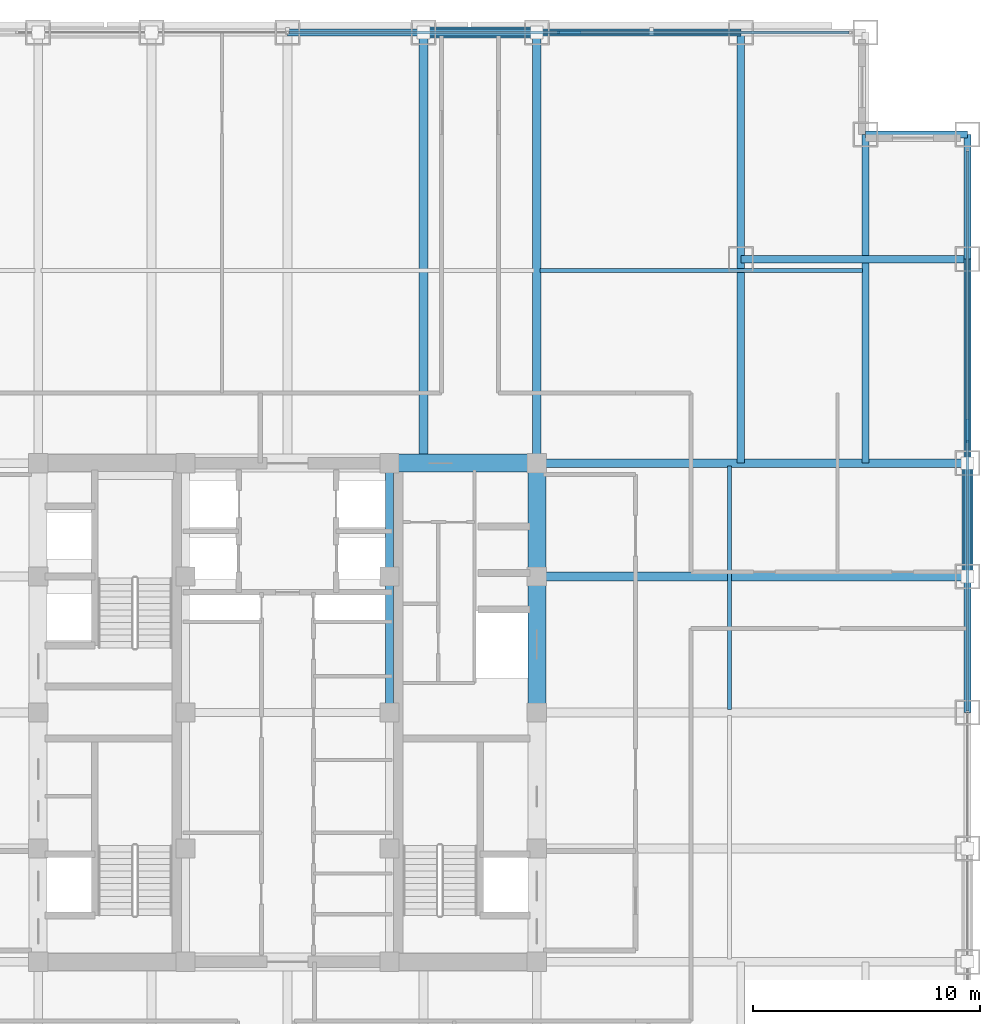
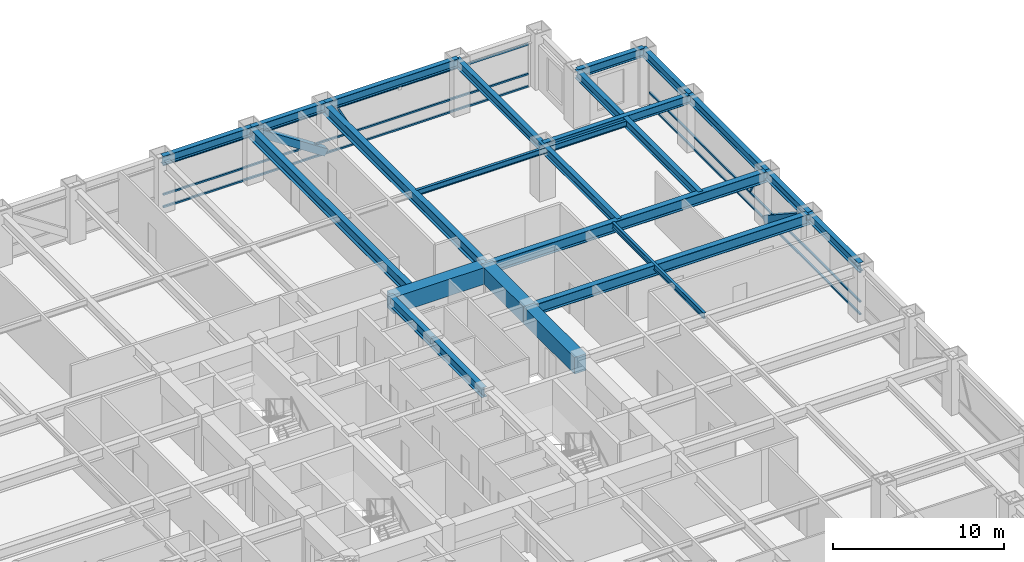
# One storey, part 17 of 28: 22 beams, 10 members, 2 elements without a shape of their own.
"""IFC4 building model written with IfcOpenShell, lengths in metres."""

from ifc_helpers import new_model, si_unit, direction, frame, origin, origin_2d, place, context, subcontext, project, spatial, rectangle, hollow_rectangle, i_section, extrude, source, transform, mapped, material, material_profile, profile_set, type_object, element, aggregate, save


model = new_model("IFC4")

# Units and contexts
model_context = context("Model", 3, precision=1e-05, world=origin(), true_north=direction((0.0, 1.0)))
body_context = subcontext(model_context, "Body", "Model", "MODEL_VIEW")
ifc_project = project(units=[si_unit("LENGTHUNIT", "METRE"), si_unit("AREAUNIT", "SQUARE_METRE"), si_unit("VOLUMEUNIT", "CUBIC_METRE"), si_unit("PLANEANGLEUNIT", "RADIAN"), si_unit("MASSUNIT", "GRAM", prefix="KILO")], contexts=[model_context])

# Site, building, storey
site_placement = place(None, origin())
site = spatial("IfcSite", under=ifc_project, at=site_placement, CompositionType="ELEMENT")
building_placement = place(site_placement, origin())
building = spatial("IfcBuilding", under=site, at=building_placement, Name="Khorayat Bourse Tower", CompositionType="ELEMENT")
storey_placement = place(building_placement, frame((0.0, 0.0, 183.10009765625)))
storey = spatial("IfcBuildingStorey", under=building, at=storey_placement, Name="L42", CompositionType="ELEMENT", Elevation=183.10009765625)

# Beams
ifc_material_1 = material(Name="Concrete C72/90", Category="concrete")
ifc_material_profile_1 = material_profile(ifc_material_1, rectangle(XDim=0.800048828125, YDim=1.199951171875, at=origin_2d()), Name="RC 800x1200")
ifc_profile_set_1 = profile_set([ifc_material_profile_1], Name="Concrete C72/90")
beam_type_1 = type_object("IfcBeamType", Name="BM-COUP-1200", PredefinedType="BEAM", material=ifc_profile_set_1)
shared_shape_1 = source(origin(), body_context, "Body", "SweptSolid", [
    extrude(rectangle(XDim=0.800048828125, YDim=1.199951171875, at=origin_2d()), origin(), (0.0, 0.0, 1.0), 5.0),
])
beam_1_placement = place(storey_placement, frame((11.0, 6.0, 3.179931640625), z_axis=(0.0, 1.0, 0.0), x_axis=(-1.0, 0.0, 0.0)))
element("IfcBeam", 1, at=beam_1_placement, inside=storey, type_object=beam_type_1, Name="L42 BM-COUP-1200 BM-L42-CRX-16", PredefinedType="BEAM", context=body_context, shape_type="MappedRepresentation", body=[
    mapped(shared_shape_1, transform((0.0, 0.0, 0.0), scale=1.0)),
])
shared_shape_2 = source(origin(), body_context, "Body", "SweptSolid", [
    extrude(rectangle(XDim=0.800048828125, YDim=1.199951171875, at=origin_2d()), origin(), (0.0, 0.0, 1.0), 6.0),
])
beam_2_placement = place(storey_placement, frame((11.0, 0.0, 3.179931640625), z_axis=(0.0, 1.0, 0.0), x_axis=(-1.0, 0.0, 0.0)))
element("IfcBeam", 2, at=beam_2_placement, inside=storey, type_object=beam_type_1, Name="L42 BM-COUP-1200 BM-L42-CRX-15", PredefinedType="BEAM", context=body_context, shape_type="MappedRepresentation", body=[
    mapped(shared_shape_2, transform((0.0, 0.0, 0.0), scale=1.0)),
])
ifc_material_2 = material(Name="Steel ASTM A992 Grade 50", Category="steel")
ifc_material_profile_2 = material_profile(ifc_material_2, i_section(OverallWidth=0.35498046875, OverallDepth=0.695068359375, WebThickness=0.015380859375, FlangeThickness=0.02490234375, FilletRadius=0.01806640625, at=origin_2d()), Name="W690X217")
ifc_profile_set_2 = profile_set([ifc_material_profile_2], Name="Steel ASTM A992 Grade 50")
beam_type_2 = type_object("IfcBeamType", Name="BM-GIRD-690", PredefinedType="BEAM", material=ifc_profile_set_2)
shared_shape_3 = source(origin(), body_context, "Body", "SweptSolid", [
    extrude(i_section(OverallWidth=0.35498046875, OverallDepth=0.695068359375, WebThickness=0.015380859375, FlangeThickness=0.02490234375, FilletRadius=0.01806640625, at=origin_2d()), origin(), (0.0, 0.0, 1.0), 5.0),
])
beam_3_placement = place(storey_placement, frame((4.5, 6.0, 3.432373046875), z_axis=(0.0, 1.0, 0.0), x_axis=(-1.0, 0.0, 0.0)))
element("IfcBeam", 3, at=beam_3_placement, inside=storey, type_object=beam_type_2, Name="L42 BM-GIRD-690 BM-L42-CRX-12", PredefinedType="BEAM", context=body_context, shape_type="MappedRepresentation", body=[
    mapped(shared_shape_3, transform((0.0, 0.0, 0.0), scale=1.0)),
])
shared_shape_4 = source(origin(), body_context, "Body", "SweptSolid", [
    extrude(i_section(OverallWidth=0.35498046875, OverallDepth=0.695068359375, WebThickness=0.015380859375, FlangeThickness=0.02490234375, FilletRadius=0.01806640625, at=origin_2d()), origin(), (0.0, 0.0, 1.0), 6.0),
])
beam_4_placement = place(storey_placement, frame((4.5, 0.0, 3.432373046875), z_axis=(0.0, 1.0, 0.0), x_axis=(-1.0, 0.0, 0.0)))
element("IfcBeam", 4, at=beam_4_placement, inside=storey, type_object=beam_type_2, Name="L42 BM-GIRD-690 BM-L42-CRX-11", PredefinedType="BEAM", context=body_context, shape_type="MappedRepresentation", body=[
    mapped(shared_shape_4, transform((0.0, 0.0, 0.0), scale=1.0)),
])
shared_shape_5 = source(origin(), body_context, "Body", "SweptSolid", [
    extrude(rectangle(XDim=0.800048828125, YDim=1.199951171875, at=origin_2d()), origin(), (0.0, 0.0, 1.0), 6.5),
])
beam_5_placement = place(storey_placement, frame((4.5, 11.0, 3.179931640625), z_axis=(1.0, 0.0, 0.0), x_axis=(0.0, 1.0, 0.0)))
element("IfcBeam", 5, at=beam_5_placement, inside=storey, type_object=beam_type_1, Name="L42 BM-COUP-1200 BM-L42-CRY-22", PredefinedType="BEAM", context=body_context, shape_type="MappedRepresentation", body=[
    mapped(shared_shape_5, transform((0.0, 0.0, 0.0), scale=1.0)),
])
ifc_material_profile_3 = material_profile(ifc_material_2, i_section(OverallWidth=0.381103515625, OverallDepth=0.77294921875, WebThickness=0.0166015625, FlangeThickness=0.027587890625, FilletRadius=0.01806640625, at=origin_2d()), Name="W760X257")
ifc_profile_set_3 = profile_set([ifc_material_profile_3], Name="Steel ASTM A992 Grade 50")
beam_type_3 = type_object("IfcBeamType", Name="BM-GIRD-760", PredefinedType="BEAM", material=ifc_profile_set_3)
shared_shape_6 = source(origin(), body_context, "Body", "SweptSolid", [
    extrude(i_section(OverallWidth=0.381103515625, OverallDepth=0.77294921875, WebThickness=0.0166015625, FlangeThickness=0.027587890625, FilletRadius=0.01806640625, at=origin_2d()), origin(), (0.0, 0.0, 1.0), 19.0),
])
for number, where, z_axis, x_axis, name in (
    (6, (6.0, 11.0, 3.393310546875), (0.0, 1.0, 0.0), (-1.0, 0.0, 0.0), "L42 BM-GIRD-760 BM-L42-RADY-070"),
    (7, (11.0, 11.0, 3.393310546875), (0.0, 1.0, 0.0), (-1.0, 0.0, 0.0), "L42 BM-GIRD-760 BM-L42-RADY-072"),
    (8, (11.0, 6.0, 3.393310546875), (1.0, 0.0, 0.0), (0.0, 1.0, 0.0), "L42 BM-GIRD-760 BM-L42-RADX-080"),
    (9, (11.0, 11.0, 3.393310546875), (1.0, 0.0, 0.0), (0.0, 1.0, 0.0), "L42 BM-GIRD-760 BM-L42-RADX-082"),
):
    element("IfcBeam", number, at=place(storey_placement, frame(where, z_axis=z_axis, x_axis=x_axis)), inside=storey, type_object=beam_type_3, Name=name, PredefinedType="BEAM", context=body_context, shape_type="MappedRepresentation", body=[
        mapped(shared_shape_6, transform((0.0, 0.0, 0.0), scale=1.0)),
    ])
ifc_material_profile_4 = material_profile(ifc_material_2, i_section(OverallWidth=0.324951171875, OverallDepth=0.615966796875, WebThickness=0.013916015625, FlangeThickness=0.021484375, FilletRadius=0.01611328125, at=origin_2d()), Name="W610X174")
ifc_profile_set_4 = profile_set([ifc_material_profile_4], Name="Steel ASTM A992 Grade 50")
beam_type_4 = type_object("IfcBeamType", Name="BM-GIRD-610", PredefinedType="BEAM", material=ifc_profile_set_4)
shared_shape_7 = source(origin(), body_context, "Body", "SweptSolid", [
    extrude(i_section(OverallWidth=0.324951171875, OverallDepth=0.615966796875, WebThickness=0.013916015625, FlangeThickness=0.021484375, FilletRadius=0.01611328125, at=origin_2d()), origin(), (0.0, 0.0, 1.0), 19.0),
])
beam_6_placement = place(storey_placement, frame((20.0, 11.0, 3.471923828125), z_axis=(0.0, 1.0, 0.0), x_axis=(-1.0, 0.0, 0.0)))
element("IfcBeam", 10, at=beam_6_placement, inside=storey, type_object=beam_type_4, Name="L42 BM-GIRD-610 BM-L42-CNRY-087", PredefinedType="BEAM", context=body_context, shape_type="MappedRepresentation", body=[
    mapped(shared_shape_7, transform((0.0, 0.0, 0.0), scale=1.0)),
])
shared_shape_8 = source(origin(), body_context, "Body", "SweptSolid", [
    extrude(i_section(OverallWidth=0.324951171875, OverallDepth=0.615966796875, WebThickness=0.013916015625, FlangeThickness=0.021484375, FilletRadius=0.01611328125, at=origin_2d()), origin(), (0.0, 0.0, 1.0), 14.5),
])
beam_7_placement = place(storey_placement, frame((25.5, 11.0, 3.471923828125), z_axis=(0.0, 1.0, 0.0), x_axis=(-1.0, 0.0, 0.0)))
element("IfcBeam", 11, at=beam_7_placement, inside=storey, type_object=beam_type_4, Name="L42 BM-GIRD-610 BM-L42-CNRY-091", PredefinedType="BEAM", context=body_context, shape_type="MappedRepresentation", body=[
    mapped(shared_shape_8, transform((0.0, 0.0, 0.0), scale=1.0)),
])
shared_shape_9 = source(origin(), body_context, "Body", "SweptSolid", [
    extrude(i_section(OverallWidth=0.324951171875, OverallDepth=0.615966796875, WebThickness=0.013916015625, FlangeThickness=0.021484375, FilletRadius=0.01611328125, at=origin_2d()), origin(), (0.0, 0.0, 1.0), 10.0),
])
beam_8_placement = place(storey_placement, frame((20.0, 20.0, 3.471923828125), z_axis=(1.0, 0.0, 0.0), x_axis=(0.0, 1.0, 0.0)))
element("IfcBeam", 12, at=beam_8_placement, inside=storey, type_object=beam_type_4, Name="L42 BM-GIRD-610 BM-L42-CNRX-094", PredefinedType="BEAM", context=body_context, shape_type="MappedRepresentation", body=[
    mapped(shared_shape_9, transform((0.0, 0.0, 0.0), scale=1.0)),
])
ifc_material_profile_5 = material_profile(ifc_material_2, i_section(OverallWidth=0.180908203125, OverallDepth=0.4169921875, WebThickness=0.010986328125, FlangeThickness=0.018310546875, FilletRadius=0.011962890625, at=origin_2d()), Name="W410X85")
ifc_profile_set_5 = profile_set([ifc_material_profile_5], Name="Steel ASTM A992 Grade 50")
beam_type_5 = type_object("IfcBeamType", Name="BM-JOIST-410", PredefinedType="JOIST", material=ifc_profile_set_5)
shared_shape_10 = source(origin(), body_context, "Body", "SweptSolid", [
    extrude(i_section(OverallWidth=0.180908203125, OverallDepth=0.4169921875, WebThickness=0.010986328125, FlangeThickness=0.018310546875, FilletRadius=0.011962890625, at=origin_2d()), origin(), (0.0, 0.0, 1.0), 14.240234375),
])
beam_9_placement = place(storey_placement, frame((11.1298828125, 19.5, 3.5712890625), z_axis=(1.0, 0.0, 0.0), x_axis=(0.0, 1.0, 0.0)))
element("IfcBeam", 13, at=beam_9_placement, inside=storey, type_object=beam_type_5, Name="L42 BM-JOIST-410 BM-L42-JSTX-101", PredefinedType="JOIST", context=body_context, shape_type="MappedRepresentation", body=[
    mapped(shared_shape_10, transform((0.0, 0.0, 0.0), scale=1.0)),
])
shared_shape_11 = source(origin(), body_context, "Body", "SweptSolid", [
    extrude(i_section(OverallWidth=0.180908203125, OverallDepth=0.4169921875, WebThickness=0.010986328125, FlangeThickness=0.018310546875, FilletRadius=0.011962890625, at=origin_2d()), origin(), (0.0, 0.0, 1.0), 10.740234375),
])
beam_10_placement = place(storey_placement, frame((19.5, 0.1298828125, 3.5712890625), z_axis=(0.0, 1.0, 0.0), x_axis=(-1.0, 0.0, 0.0)))
element("IfcBeam", 14, at=beam_10_placement, inside=storey, type_object=beam_type_5, Name="L42 BM-JOIST-410 BM-L42-JSTY-105", PredefinedType="JOIST", context=body_context, shape_type="MappedRepresentation", body=[
    mapped(shared_shape_11, transform((0.0, 0.0, 0.0), scale=1.0)),
])
ifc_material_profile_6 = material_profile(ifc_material_2, i_section(OverallWidth=0.324951171875, OverallDepth=0.615966796875, WebThickness=0.013916015625, FlangeThickness=0.021484375, FilletRadius=0.01611328125, at=origin_2d()), Name="W610X174")
ifc_profile_set_6 = profile_set([ifc_material_profile_6], Name="Steel ASTM A992 Grade 50")
beam_type_6 = type_object("IfcBeamType", Name="BM-SPAN-610", PredefinedType="SPANDREL", material=ifc_profile_set_6)
shared_shape_12 = source(origin(), body_context, "Body", "SweptSolid", [
    extrude(i_section(OverallWidth=0.324951171875, OverallDepth=0.615966796875, WebThickness=0.013916015625, FlangeThickness=0.021484375, FilletRadius=0.01611328125, at=origin_2d()), origin(), (0.0, 0.0, 1.0), 5.5),
])
beam_11_placement = place(storey_placement, frame((30.0, 20.0, 3.471923828125), z_axis=(0.0, 1.0, 0.0), x_axis=(-1.0, 0.0, 0.0)))
element("IfcBeam", 15, at=beam_11_placement, inside=storey, type_object=beam_type_6, Name="L42 BM-SPAN-610 BM-L42-SPN-041", PredefinedType="SPANDREL", context=body_context, shape_type="MappedRepresentation", body=[
    mapped(shared_shape_12, transform((0.0, 0.0, 0.0), scale=1.0)),
])
shared_shape_13 = source(origin(), body_context, "Body", "SweptSolid", [
    extrude(i_section(OverallWidth=0.324951171875, OverallDepth=0.615966796875, WebThickness=0.013916015625, FlangeThickness=0.021484375, FilletRadius=0.01611328125, at=origin_2d()), origin(), (0.0, 0.0, 1.0), 9.0),
])
for number, where, z_axis, x_axis, name in (
    (16, (30.0, 11.0, 3.471923828125), (0.0, 1.0, 0.0), (-1.0, 0.0, 0.0), "L42 BM-SPAN-610 BM-L42-SPN-040"),
    (17, (11.0, 30.0, 3.471923828125), (1.0, 0.0, 0.0), (0.0, 1.0, 0.0), "L42 BM-SPAN-610 BM-L42-SPN-045"),
):
    element("IfcBeam", number, at=place(storey_placement, frame(where, z_axis=z_axis, x_axis=x_axis)), inside=storey, type_object=beam_type_6, Name=name, PredefinedType="SPANDREL", context=body_context, shape_type="MappedRepresentation", body=[
        mapped(shared_shape_13, transform((0.0, 0.0, 0.0), scale=1.0)),
    ])
shared_shape_14 = source(origin(), body_context, "Body", "SweptSolid", [
    extrude(i_section(OverallWidth=0.324951171875, OverallDepth=0.615966796875, WebThickness=0.013916015625, FlangeThickness=0.021484375, FilletRadius=0.01611328125, at=origin_2d()), origin(), (0.0, 0.0, 1.0), 5.0),
])
for number, where, z_axis, x_axis, name in (
    (18, (30.0, 6.0, 3.471923828125), (0.0, 1.0, 0.0), (-1.0, 0.0, 0.0), "L42 BM-SPAN-610 BM-L42-SPN-039"),
    (19, (6.0, 30.0, 3.471923828125), (1.0, 0.0, 0.0), (0.0, 1.0, 0.0), "L42 BM-SPAN-610 BM-L42-SPN-046"),
):
    element("IfcBeam", number, at=place(storey_placement, frame(where, z_axis=z_axis, x_axis=x_axis)), inside=storey, type_object=beam_type_6, Name=name, PredefinedType="SPANDREL", context=body_context, shape_type="MappedRepresentation", body=[
        mapped(shared_shape_14, transform((0.0, 0.0, 0.0), scale=1.0)),
    ])
shared_shape_15 = source(origin(), body_context, "Body", "SweptSolid", [
    extrude(i_section(OverallWidth=0.324951171875, OverallDepth=0.615966796875, WebThickness=0.013916015625, FlangeThickness=0.021484375, FilletRadius=0.01611328125, at=origin_2d()), origin(), (0.0, 0.0, 1.0), 6.0),
])
for number, where, z_axis, x_axis, name in (
    (20, (30.0, 0.0, 3.471923828125), (0.0, 1.0, 0.0), (-1.0, 0.0, 0.0), "L42 BM-SPAN-610 BM-L42-SPN-038"),
    (21, (0.0, 30.0, 3.471923828125), (1.0, 0.0, 0.0), (0.0, 1.0, 0.0), "L42 BM-SPAN-610 BM-L42-SPN-047"),
):
    element("IfcBeam", number, at=place(storey_placement, frame(where, z_axis=z_axis, x_axis=x_axis)), inside=storey, type_object=beam_type_6, Name=name, PredefinedType="SPANDREL", context=body_context, shape_type="MappedRepresentation", body=[
        mapped(shared_shape_15, transform((0.0, 0.0, 0.0), scale=1.0)),
    ])
shared_shape_16 = source(origin(), body_context, "Body", "SweptSolid", [
    extrude(i_section(OverallWidth=0.324951171875, OverallDepth=0.615966796875, WebThickness=0.013916015625, FlangeThickness=0.021484375, FilletRadius=0.01611328125, at=origin_2d()), origin(), (0.0, 0.0, 1.0), 4.5),
])
beam_12_placement = place(storey_placement, frame((25.5, 25.5, 3.471923828125), z_axis=(1.0, 0.0, 0.0), x_axis=(0.0, 1.0, 0.0)))
element("IfcBeam", 22, at=beam_12_placement, inside=storey, type_object=beam_type_6, Name="L42 BM-SPAN-610 BM-L42-SPN-042", PredefinedType="SPANDREL", context=body_context, shape_type="MappedRepresentation", body=[
    mapped(shared_shape_16, transform((0.0, 0.0, 0.0), scale=1.0)),
])

# Members
ifc_material_3 = material(Name="Steel EN 10025-4 S460M", Category="steel")
ifc_material_profile_7 = material_profile(ifc_material_3, hollow_rectangle(XDim=0.5, YDim=0.5, WallThickness=0.028076171875, at=origin_2d()), Name="HSS 500x500x28")
ifc_profile_set_7 = profile_set([ifc_material_profile_7], Name="Steel EN 10025-4 S460M")
member_type_1 = type_object("IfcMemberType", Name="MBR-TUBE-500", PredefinedType="BRACE", material=ifc_profile_set_7)
shared_shape_17 = source(origin(), body_context, "Body", "SweptSolid", [
    extrude(hollow_rectangle(XDim=0.5, YDim=0.5, WallThickness=0.028076171875, at=origin_2d()), origin(), (0.0, 0.0, 1.0), 5.979736328125),
])
for number, where, z_axis, x_axis, name in (
    (23, (6.0, 30.0, 3.52978515625), (0.836160261256, 0.0, -0.548485202623), (0.0, 1.0, 0.0), "L42 Perimeter Tube Brace 04"),
    (24, (30.0, 6.0, 3.52978515625), (0.0, 0.836160261256, -0.548485202623), (-1.0, 0.0, 0.0), "L42 Perimeter Tube Brace 08"),
):
    element("IfcMember", number, at=place(storey_placement, frame(where, z_axis=z_axis, x_axis=x_axis)), inside=storey, type_object=member_type_1, Name=name, PredefinedType="BRACE", context=body_context, shape_type="MappedRepresentation", body=[
        mapped(shared_shape_17, transform((0.0, 0.0, 0.0), scale=1.0)),
    ])

# Curtain wall, member
ifc_material_4 = material(Name="Aluminium EN AW-6063 T6", Category="aluminium")
curtain_wall_type = type_object("IfcCurtainWallType", Name="CW-SYS-03", PredefinedType="NOTDEFINED", material=ifc_material_4)
curtain_wall_1_placement = place(storey_placement, origin())
curtain_wall_1 = element("IfcCurtainWall", 25, at=curtain_wall_1_placement, inside=storey, type_object=curtain_wall_type, Name="L42 Curtain Wall CW-L42-N1", PredefinedType="NOTDEFINED")
ifc_material_profile_8 = material_profile(ifc_material_4, hollow_rectangle(XDim=0.1201171875, YDim=0.1201171875, WallThickness=0.0048828125, at=origin_2d()), Name="ALU 120x120x5")
ifc_profile_set_8 = profile_set([ifc_material_profile_8], Name="Aluminium EN AW-6063 T6")
member_type_2 = type_object("IfcMemberType", Name="CWM-DIAG-120", PredefinedType="MULLION", material=ifc_profile_set_8)
shared_shape_18 = source(origin(), body_context, "Body", "SweptSolid", [
    extrude(hollow_rectangle(XDim=0.1201171875, YDim=0.1201171875, WallThickness=0.0048828125, at=origin_2d()), origin(), (0.0, 0.0, 1.0), 2.079345703125),
])
member_1_placement = place(storey_placement, frame((12.904296875, 30.0, 1.08984375), z_axis=(-0.465760949701, 0.0, 0.884910581773), x_axis=(0.0, -1.0, 0.0)))
member_1 = element("IfcMember", 26, at=member_1_placement, type_object=member_type_2, Name="CW-L42-N1 Faceted Diagonal Mullion 2", PredefinedType="MULLION", context=body_context, shape_type="MappedRepresentation", body=[
    mapped(shared_shape_18, transform((0.0, 0.0, 0.0), scale=1.0)),
])

curtain_wall_2_placement = place(storey_placement, origin())
curtain_wall_2 = element("IfcCurtainWall", 27, at=curtain_wall_2_placement, inside=storey, type_object=curtain_wall_type, Name="L42 Curtain Wall CW-L42-E1", PredefinedType="NOTDEFINED")
member_2_placement = place(storey_placement, frame((30.0, 12.904296875, 1.08984375), z_axis=(0.0, -0.465760949701, 0.884910581773), x_axis=(1.0, 0.0, 0.0)))
member_2 = element("IfcMember", 28, at=member_2_placement, type_object=member_type_2, Name="CW-L42-E1 Faceted Diagonal Mullion 2", PredefinedType="MULLION", context=body_context, shape_type="MappedRepresentation", body=[
    mapped(shared_shape_18, transform((0.0, 0.0, 0.0), scale=1.0)),
])

# Member
ifc_material_profile_9 = material_profile(ifc_material_4, hollow_rectangle(XDim=0.1201171875, YDim=0.1201171875, WallThickness=0.0048828125, at=origin_2d()), Name="ALU 120x120x5")
ifc_profile_set_9 = profile_set([ifc_material_profile_9], Name="Aluminium EN AW-6063 T6")
member_type_3 = type_object("IfcMemberType", Name="CWT-HORZ-120", PredefinedType="USERDEFINED", material=ifc_profile_set_9)
shared_shape_19 = source(origin(), body_context, "Body", "SweptSolid", [
    extrude(hollow_rectangle(XDim=0.1201171875, YDim=0.1201171875, WallThickness=0.0048828125, at=origin_2d()), origin(), (0.0, 0.0, 1.0), 24.719970703125),
])
member_3_placement = place(storey_placement, frame((0.06005859375, 30.0, 0.059814453125), z_axis=(1.0, 0.0, 0.0), x_axis=(0.0, 1.0, 0.0)))
member_3 = element("IfcMember", 29, at=member_3_placement, type_object=member_type_3, Name="CW-L42-N1 Horizontal Transom 2-1", ObjectType="TRANSOM", PredefinedType="USERDEFINED", context=body_context, shape_type="MappedRepresentation", body=[
    mapped(shared_shape_19, transform((0.0, 0.0, 0.0), scale=1.0)),
])

member_4_placement = place(storey_placement, frame((0.06005859375, 30.0, 0.949951171875), z_axis=(1.0, 0.0, 0.0), x_axis=(0.0, 1.0, 0.0)))
member_4 = element("IfcMember", 30, at=member_4_placement, type_object=member_type_3, Name="CW-L42-N1 Horizontal Transom 2-2", ObjectType="TRANSOM", PredefinedType="USERDEFINED", context=body_context, shape_type="MappedRepresentation", body=[
    mapped(shared_shape_19, transform((0.0, 0.0, 0.0), scale=1.0)),
])

member_5_placement = place(storey_placement, frame((0.06005859375, 30.0, 3.06982421875), z_axis=(1.0, 0.0, 0.0), x_axis=(0.0, 1.0, 0.0)))
member_5 = element("IfcMember", 31, at=member_5_placement, type_object=member_type_3, Name="CW-L42-N1 Horizontal Transom 2-3", ObjectType="TRANSOM", PredefinedType="USERDEFINED", context=body_context, shape_type="MappedRepresentation", body=[
    mapped(shared_shape_19, transform((0.0, 0.0, 0.0), scale=1.0)),
])

aggregate(curtain_wall_1, [member_3, member_4, member_5, member_1])

member_6_placement = place(storey_placement, frame((30.0, 0.06005859375, 0.059814453125), z_axis=(0.0, 1.0, 0.0), x_axis=(-1.0, 0.0, 0.0)))
member_6 = element("IfcMember", 32, at=member_6_placement, type_object=member_type_3, Name="CW-L42-E1 Horizontal Transom 2-1", ObjectType="TRANSOM", PredefinedType="USERDEFINED", context=body_context, shape_type="MappedRepresentation", body=[
    mapped(shared_shape_19, transform((0.0, 0.0, 0.0), scale=1.0)),
])

member_7_placement = place(storey_placement, frame((30.0, 0.06005859375, 0.949951171875), z_axis=(0.0, 1.0, 0.0), x_axis=(-1.0, 0.0, 0.0)))
member_7 = element("IfcMember", 33, at=member_7_placement, type_object=member_type_3, Name="CW-L42-E1 Horizontal Transom 2-2", ObjectType="TRANSOM", PredefinedType="USERDEFINED", context=body_context, shape_type="MappedRepresentation", body=[
    mapped(shared_shape_19, transform((0.0, 0.0, 0.0), scale=1.0)),
])

member_8_placement = place(storey_placement, frame((30.0, 0.06005859375, 3.06982421875), z_axis=(0.0, 1.0, 0.0), x_axis=(-1.0, 0.0, 0.0)))
member_8 = element("IfcMember", 34, at=member_8_placement, type_object=member_type_3, Name="CW-L42-E1 Horizontal Transom 2-3", ObjectType="TRANSOM", PredefinedType="USERDEFINED", context=body_context, shape_type="MappedRepresentation", body=[
    mapped(shared_shape_19, transform((0.0, 0.0, 0.0), scale=1.0)),
])

aggregate(curtain_wall_2, [member_6, member_7, member_8, member_2])

save(model, "model.ifc")
